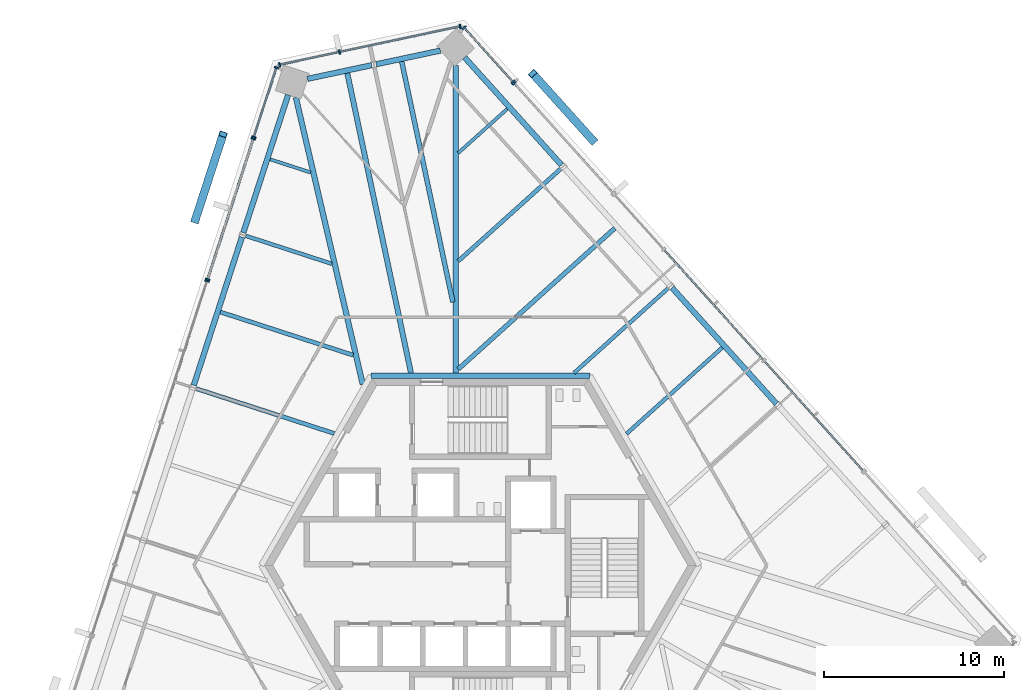
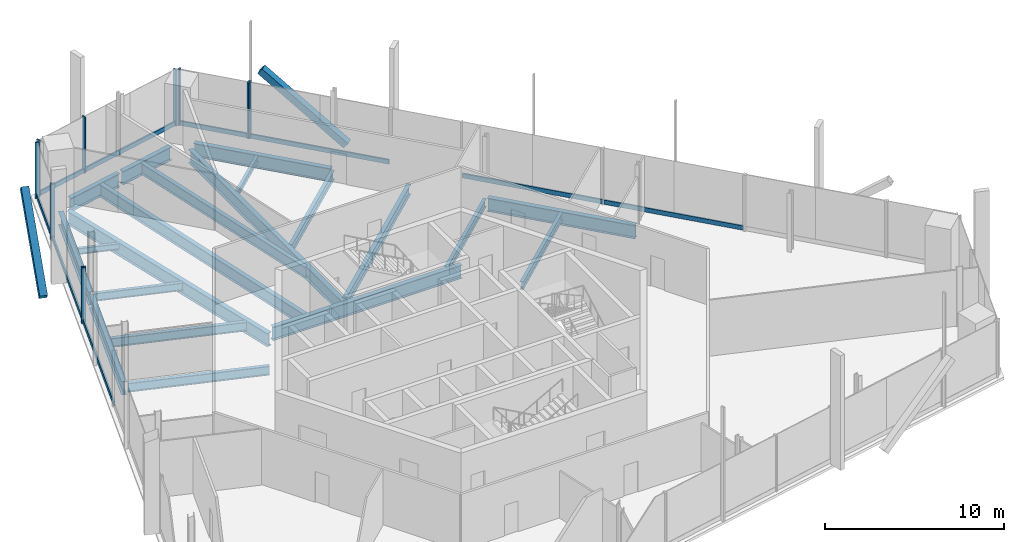
# One storey, part 7 of 17: 22 members, 20 beams, 7 elements without a shape of their own.
"""IFC4 building model written with IfcOpenShell, lengths in metres."""

from ifc_helpers import new_model, si_unit, direction, frame, origin, origin_2d, place, context, subcontext, project, spatial, rectangle, hollow_rectangle, i_section, extrude, source, transform, mapped, material, material_profile, profile_set, type_object, element, aggregate, save


model = new_model("IFC4")

# Units and contexts
model_context = context("Model", 3, precision=1e-05, world=origin(), true_north=direction((0.0, 1.0)))
body_context = subcontext(model_context, "Body", "Model", "MODEL_VIEW")
ifc_project = project(units=[si_unit("LENGTHUNIT", "METRE"), si_unit("AREAUNIT", "SQUARE_METRE"), si_unit("VOLUMEUNIT", "CUBIC_METRE"), si_unit("PLANEANGLEUNIT", "RADIAN"), si_unit("MASSUNIT", "GRAM", prefix="KILO")], contexts=[model_context])

# Site, building, storey
site_placement = place(None, origin())
site = spatial("IfcSite", under=ifc_project, at=site_placement, CompositionType="ELEMENT")
building_placement = place(site_placement, origin())
building = spatial("IfcBuilding", under=site, at=building_placement, Name="Triune Harvest Tower", CompositionType="ELEMENT")
storey_placement = place(building_placement, frame((0.0, 0.0, 288.699951171875)))
storey = spatial("IfcBuildingStorey", under=building, at=storey_placement, Name="L76", CompositionType="ELEMENT", Elevation=288.699951171875)

# Beams
ifc_material_1 = material(Name="Steel ASTM A992 Gr 50", Category="steel")
ifc_material_profile_1 = material_profile(ifc_material_1, i_section(OverallWidth=0.3046875, OverallDepth=0.914306640625, WebThickness=0.0166015625, FlangeThickness=0.02587890625, at=origin_2d()), Name="W36x160")
ifc_profile_set_1 = profile_set([ifc_material_profile_1], Name="Steel ASTM A992 Gr 50")
beam_type_1 = type_object("IfcBeamType", Name="CG-1 Core ring girder W36x160", PredefinedType="BEAM", material=ifc_profile_set_1)
shared_shape_1 = source(origin(), body_context, "Body", "SweptSolid", [
    extrude(i_section(OverallWidth=0.3046875, OverallDepth=0.914306640625, WebThickness=0.0166015625, FlangeThickness=0.02587890625, at=origin_2d()), origin(), (0.0, 0.0, 1.0), 12.17578125),
])
beam_1_placement = place(storey_placement, frame((6.087890625, 10.544677734375, -0.63720703125), z_axis=(-1.0, 0.0, 0.0), x_axis=(0.0, -1.0, 0.0)))
element("IfcBeam", 1, at=beam_1_placement, inside=storey, type_object=beam_type_1, Name="beam/L76/CG2", PredefinedType="BEAM", context=body_context, shape_type="MappedRepresentation", body=[
    mapped(shared_shape_1, transform((0.0, 0.0, 0.0), scale=1.0)),
])
ifc_material_2 = material(Name="Steel ASTM A992 Gr 50", Category="steel")
ifc_material_profile_2 = material_profile(ifc_material_2, i_section(OverallWidth=0.3046875, OverallDepth=0.914306640625, WebThickness=0.0166015625, FlangeThickness=0.02587890625, at=origin_2d()), Name="W36x160")
ifc_profile_set_2 = profile_set([ifc_material_profile_2], Name="Steel ASTM A992 Gr 50")
beam_type_2 = type_object("IfcBeamType", Name="SB-1 Spandrel beam W36x160", PredefinedType="SPANDREL", material=ifc_profile_set_2)
shared_shape_2 = source(origin(), body_context, "Body", "SweptSolid", [
    extrude(i_section(OverallWidth=0.3046875, OverallDepth=0.914306640625, WebThickness=0.0166015625, FlangeThickness=0.02587890625, at=origin_2d()), origin(), (0.0, 0.0, 1.0), 8.0498046875),
])
for number, where, z_axis, x_axis, name in (
    (2, (4.511474609375, 22.25537109375, -0.63720703125), (-0.669152382485, 0.743125217588, 0.0), (-0.743125217588, -0.669152382485, 0.0), "beam/L76/SB5"),
    (3, (-10.685791015625, 26.152099609375, -0.63720703125), (-0.30902160762, -0.951055017348, 0.0), (0.951055017348, -0.30902160762, 0.0), "beam/L76/SB8"),
):
    element("IfcBeam", number, at=place(storey_placement, frame(where, z_axis=z_axis, x_axis=x_axis)), inside=storey, type_object=beam_type_2, Name=name, PredefinedType="SPANDREL", context=body_context, shape_type="MappedRepresentation", body=[
        mapped(shared_shape_2, transform((0.0, 0.0, 0.0), scale=1.0)),
    ])
shared_shape_3 = source(origin(), body_context, "Body", "SweptSolid", [
    extrude(i_section(OverallWidth=0.3046875, OverallDepth=0.914306640625, WebThickness=0.0166015625, FlangeThickness=0.02587890625, at=origin_2d()), origin(), (0.0, 0.0, 1.0), 8.671630859375),
])
beam_2_placement = place(storey_placement, frame((16.45947265625, 8.985595703125, -0.63720703125), z_axis=(-0.669129593336, 0.743145737606, 0.0), x_axis=(-0.743145737606, -0.669129593336, 0.0)))
element("IfcBeam", 4, at=beam_2_placement, inside=storey, type_object=beam_type_2, Name="beam/L76/SB3", PredefinedType="SPANDREL", context=body_context, shape_type="MappedRepresentation", body=[
    mapped(shared_shape_3, transform((0.0, 0.0, 0.0), scale=1.0)),
])
shared_shape_4 = source(origin(), body_context, "Body", "SweptSolid", [
    extrude(i_section(OverallWidth=0.3046875, OverallDepth=0.914306640625, WebThickness=0.0166015625, FlangeThickness=0.02587890625, at=origin_2d()), origin(), (0.0, 0.0, 1.0), 8.67138671875),
])
beam_3_placement = place(storey_placement, frame((-13.252685546875, 18.25244140625, -0.63720703125), z_axis=(-0.309022409974, -0.951054756643, 0.0), x_axis=(0.951054756643, -0.309022409974, 0.0)))
element("IfcBeam", 5, at=beam_3_placement, inside=storey, type_object=beam_type_2, Name="beam/L76/SB9", PredefinedType="SPANDREL", context=body_context, shape_type="MappedRepresentation", body=[
    mapped(shared_shape_4, transform((0.0, 0.0, 0.0), scale=1.0)),
])
shared_shape_5 = source(origin(), body_context, "Body", "SweptSolid", [
    extrude(i_section(OverallWidth=0.3046875, OverallDepth=0.914306640625, WebThickness=0.0166015625, FlangeThickness=0.02587890625, at=origin_2d()), origin(), (0.0, 0.0, 1.0), 3.645751953125),
])
beam_4_placement = place(storey_placement, frame((-2.223876953125, 28.61474609375, -0.63720703125), z_axis=(-0.978145063506, -0.207923627178, 0.0), x_axis=(0.207923627178, -0.978145063506, 0.0)))
element("IfcBeam", 6, at=beam_4_placement, inside=storey, type_object=beam_type_2, Name="beam/L76/SB6", PredefinedType="SPANDREL", context=body_context, shape_type="MappedRepresentation", body=[
    mapped(shared_shape_5, transform((0.0, 0.0, 0.0), scale=1.0)),
])
shared_shape_6 = source(origin(), body_context, "Body", "SweptSolid", [
    extrude(i_section(OverallWidth=0.3046875, OverallDepth=0.914306640625, WebThickness=0.0166015625, FlangeThickness=0.02587890625, at=origin_2d()), origin(), (0.0, 0.0, 1.0), 3.6455078125),
])
beam_5_placement = place(storey_placement, frame((-6.041015625, 27.803466796875, -0.63720703125), z_axis=(-0.978142168213, -0.207937247179, 0.0), x_axis=(0.207937247179, -0.978142168213, 0.0)))
element("IfcBeam", 7, at=beam_5_placement, inside=storey, type_object=beam_type_2, Name="beam/L76/SB7", PredefinedType="SPANDREL", context=body_context, shape_type="MappedRepresentation", body=[
    mapped(shared_shape_6, transform((0.0, 0.0, 0.0), scale=1.0)),
])
ifc_material_3 = material(Name="Steel ASTM A992 Gr 50", Category="steel")
ifc_material_profile_3 = material_profile(ifc_material_3, i_section(OverallWidth=0.3046875, OverallDepth=0.914306640625, WebThickness=0.0166015625, FlangeThickness=0.02587890625, at=origin_2d()), Name="W36x160")
ifc_profile_set_3 = profile_set([ifc_material_profile_3], Name="Steel ASTM A992 Gr 50")
beam_type_3 = type_object("IfcBeamType", Name="HG-3 Hip girder W36x160", PredefinedType="BEAM", material=ifc_profile_set_3)
shared_shape_7 = source(origin(), body_context, "Body", "SweptSolid", [
    extrude(i_section(OverallWidth=0.3046875, OverallDepth=0.914306640625, WebThickness=0.0166015625, FlangeThickness=0.02587890625, at=origin_2d()), origin(), (0.0, 0.0, 1.0), 17.088623046875),
])
beam_6_placement = place(storey_placement, frame((-1.376708984375, 27.78564453125, -0.63720703125), z_axis=(0.0, -1.0, 0.0), x_axis=(1.0, 0.0, 0.0)))
element("IfcBeam", 8, at=beam_6_placement, inside=storey, type_object=beam_type_3, Name="beam/L76/HG2", PredefinedType="BEAM", context=body_context, shape_type="MappedRepresentation", body=[
    mapped(shared_shape_7, transform((0.0, 0.0, 0.0), scale=1.0)),
])
shared_shape_8 = source(origin(), body_context, "Body", "SweptSolid", [
    extrude(i_section(OverallWidth=0.3046875, OverallDepth=0.914306640625, WebThickness=0.0166015625, FlangeThickness=0.02587890625, at=origin_2d()), origin(), (0.0, 0.0, 1.0), 16.37060546875),
])
beam_7_placement = place(storey_placement, frame((-10.255126953125, 26.01220703125, -0.63720703125), z_axis=(0.227026417792, -0.973888600213, 0.0), x_axis=(0.973888600213, 0.227026417792, 0.0)))
element("IfcBeam", 9, at=beam_7_placement, inside=storey, type_object=beam_type_3, Name="beam/L76/HG3", PredefinedType="BEAM", context=body_context, shape_type="MappedRepresentation", body=[
    mapped(shared_shape_8, transform((0.0, 0.0, 0.0), scale=1.0)),
])
ifc_material_4 = material(Name="Steel ASTM A992 Gr 50", Category="steel")
ifc_material_profile_4 = material_profile(ifc_material_4, i_section(OverallWidth=0.22900390625, OverallDepth=0.612060546875, WebThickness=0.011962890625, FlangeThickness=0.01953125, at=origin_2d()), Name="W24x84")
ifc_profile_set_4 = profile_set([ifc_material_profile_4], Name="Steel ASTM A992 Gr 50")
beam_type_4 = type_object("IfcBeamType", Name="JT-3 Floor joist W24x84", PredefinedType="JOIST", material=ifc_profile_set_4)
shared_shape_9 = source(origin(), body_context, "Body", "SweptSolid", [
    extrude(i_section(OverallWidth=0.22900390625, OverallDepth=0.612060546875, WebThickness=0.011962890625, FlangeThickness=0.01953125, at=origin_2d()), origin(), (0.0, 0.0, 1.0), 7.755126953125),
])
beam_8_placement = place(storey_placement, frame((-14.447509765625, 14.081787109375, -0.486083984375), z_axis=(0.951054888115, -0.309022005354, 0.0), x_axis=(0.309022005354, 0.951054888115, 0.0)))
element("IfcBeam", 10, at=beam_8_placement, inside=storey, type_object=beam_type_4, Name="beam/L76/JT14", PredefinedType="JOIST", context=body_context, shape_type="MappedRepresentation", body=[
    mapped(shared_shape_9, transform((0.0, 0.0, 0.0), scale=1.0)),
])
ifc_material_5 = material(Name="Steel ASTM A992 Gr 50", Category="steel")
ifc_material_profile_5 = material_profile(ifc_material_5, i_section(OverallWidth=0.2099609375, OverallDepth=0.535888671875, WebThickness=0.010986328125, FlangeThickness=0.017333984375, at=origin_2d()), Name="W21x68")
ifc_profile_set_5 = profile_set([ifc_material_profile_5], Name="Steel ASTM A992 Gr 50")
beam_type_5 = type_object("IfcBeamType", Name="JT-2 Floor joist W21x68", PredefinedType="JOIST", material=ifc_profile_set_5)
shared_shape_10 = source(origin(), body_context, "Body", "SweptSolid", [
    extrude(i_section(OverallWidth=0.2099609375, OverallDepth=0.535888671875, WebThickness=0.010986328125, FlangeThickness=0.017333984375, at=origin_2d()), origin(), (0.0, 0.0, 1.0), 7.155517578125),
])
beam_9_placement = place(storey_placement, frame((13.44482421875, 12.105712890625, -0.447998046875), z_axis=(-0.743139743978, -0.669136249892, 0.0), x_axis=(0.669136249892, -0.743139743978, 0.0)))
element("IfcBeam", 11, at=beam_9_placement, inside=storey, type_object=beam_type_5, Name="beam/L76/JT5", PredefinedType="JOIST", context=body_context, shape_type="MappedRepresentation", body=[
    mapped(shared_shape_10, transform((0.0, 0.0, 0.0), scale=1.0)),
])
shared_shape_11 = source(origin(), body_context, "Body", "SweptSolid", [
    extrude(i_section(OverallWidth=0.2099609375, OverallDepth=0.535888671875, WebThickness=0.010986328125, FlangeThickness=0.017333984375, at=origin_2d()), origin(), (0.0, 0.0, 1.0), 7.035400390625),
])
beam_10_placement = place(storey_placement, frame((10.437255859375, 15.404541015625, -0.447998046875), z_axis=(-0.743147458893, -0.669127681643, 0.0), x_axis=(0.669127681643, -0.743147458893, 0.0)))
element("IfcBeam", 12, at=beam_10_placement, inside=storey, type_object=beam_type_5, Name="beam/L76/JT6", PredefinedType="JOIST", context=body_context, shape_type="MappedRepresentation", body=[
    mapped(shared_shape_11, transform((0.0, 0.0, 0.0), scale=1.0)),
])
ifc_material_6 = material(Name="Steel ASTM A992 Gr 50", Category="steel")
ifc_material_profile_6 = material_profile(ifc_material_6, i_section(OverallWidth=0.253662109375, OverallDepth=0.683349609375, WebThickness=0.012451171875, FlangeThickness=0.01904296875, at=origin_2d()), Name="W27x94")
ifc_profile_set_6 = profile_set([ifc_material_profile_6], Name="Steel ASTM A992 Gr 50")
beam_type_6 = type_object("IfcBeamType", Name="JT-4 Floor joist W27x94", PredefinedType="JOIST", material=ifc_profile_set_6)
shared_shape_12 = source(origin(), body_context, "Body", "SweptSolid", [
    extrude(i_section(OverallWidth=0.253662109375, OverallDepth=0.683349609375, WebThickness=0.012451171875, FlangeThickness=0.01904296875, at=origin_2d()), origin(), (0.0, 0.0, 1.0), 11.70068359375),
])
beam_11_placement = place(storey_placement, frame((7.470947265625, 18.740478515625, -0.521484375), z_axis=(-0.743153026809, -0.669121497745, 0.0), x_axis=(0.669121497745, -0.743153026809, 0.0)))
element("IfcBeam", 13, at=beam_11_placement, inside=storey, type_object=beam_type_6, Name="beam/L76/JT7", PredefinedType="JOIST", context=body_context, shape_type="MappedRepresentation", body=[
    mapped(shared_shape_12, transform((0.0, 0.0, 0.0), scale=1.0)),
])
shared_shape_13 = source(origin(), body_context, "Body", "SweptSolid", [
    extrude(i_section(OverallWidth=0.22900390625, OverallDepth=0.612060546875, WebThickness=0.011962890625, FlangeThickness=0.01953125, at=origin_2d()), origin(), (0.0, 0.0, 1.0), 7.6533203125),
])
beam_12_placement = place(storey_placement, frame((4.463134765625, 22.039306640625, -0.486083984375), z_axis=(-0.74314185307, -0.669133907537, 0.0), x_axis=(0.669133907537, -0.74314185307, 0.0)))
element("IfcBeam", 14, at=beam_12_placement, inside=storey, type_object=beam_type_4, Name="beam/L76/JT8", PredefinedType="JOIST", context=body_context, shape_type="MappedRepresentation", body=[
    mapped(shared_shape_13, transform((0.0, 0.0, 0.0), scale=1.0)),
])
ifc_material_7 = material(Name="Steel ASTM A992 Gr 50", Category="steel")
ifc_material_profile_7 = material_profile(ifc_material_7, i_section(OverallWidth=0.180908203125, OverallDepth=0.41650390625, WebThickness=0.010986328125, FlangeThickness=0.01806640625, at=origin_2d()), Name="W16x57")
ifc_profile_set_7 = profile_set([ifc_material_profile_7], Name="Steel ASTM A992 Gr 50")
beam_type_7 = type_object("IfcBeamType", Name="JT-1 Floor joist W16x57", PredefinedType="JOIST", material=ifc_profile_set_7)
shared_shape_14 = source(origin(), body_context, "Body", "SweptSolid", [
    extrude(i_section(OverallWidth=0.180908203125, OverallDepth=0.41650390625, WebThickness=0.010986328125, FlangeThickness=0.01806640625, at=origin_2d()), origin(), (0.0, 0.0, 1.0), 3.661865234375),
])
beam_13_placement = place(storey_placement, frame((1.496826171875, 25.37548828125, -0.38818359375), z_axis=(-0.743108471823, -0.669170978977, 0.0), x_axis=(0.669170978977, -0.743108471823, 0.0)))
element("IfcBeam", 15, at=beam_13_placement, inside=storey, type_object=beam_type_7, Name="beam/L76/JT9", PredefinedType="JOIST", context=body_context, shape_type="MappedRepresentation", body=[
    mapped(shared_shape_14, transform((0.0, 0.0, 0.0), scale=1.0)),
])
ifc_material_8 = material(Name="Steel ASTM A992 Gr 50", Category="steel")
ifc_material_profile_8 = material_profile(ifc_material_8, i_section(OverallWidth=0.2666015625, OverallDepth=0.7568359375, WebThickness=0.013916015625, FlangeThickness=0.019287109375, at=origin_2d()), Name="W30x108")
ifc_profile_set_8 = profile_set([ifc_material_profile_8], Name="Steel ASTM A992 Gr 50")
beam_type_8 = type_object("IfcBeamType", Name="JT-5 Floor joist W30x108", PredefinedType="JOIST", material=ifc_profile_set_8)
shared_shape_15 = source(origin(), body_context, "Body", "SweptSolid", [
    extrude(i_section(OverallWidth=0.2666015625, OverallDepth=0.7568359375, WebThickness=0.013916015625, FlangeThickness=0.019287109375, at=origin_2d()), origin(), (0.0, 0.0, 1.0), 13.66796875),
])
beam_14_placement = place(storey_placement, frame((-4.370849609375, 28.002685546875, -0.558349609375), z_axis=(0.207897850023, -0.978150542583, 0.0), x_axis=(0.978150542583, 0.207897850023, 0.0)))
element("IfcBeam", 16, at=beam_14_placement, inside=storey, type_object=beam_type_8, Name="beam/L76/JT10", PredefinedType="JOIST", context=body_context, shape_type="MappedRepresentation", body=[
    mapped(shared_shape_15, transform((0.0, 0.0, 0.0), scale=1.0)),
])
ifc_material_9 = material(Name="Steel ASTM A992 Gr 50", Category="steel")
ifc_material_profile_9 = material_profile(ifc_material_9, i_section(OverallWidth=0.2919921875, OverallDepth=0.8408203125, WebThickness=0.0146484375, FlangeThickness=0.021728515625, at=origin_2d()), Name="W33x130")
ifc_profile_set_9 = profile_set([ifc_material_profile_9], Name="Steel ASTM A992 Gr 50")
beam_type_9 = type_object("IfcBeamType", Name="JT-6 Floor joist W33x130", PredefinedType="JOIST", material=ifc_profile_set_9)
shared_shape_16 = source(origin(), body_context, "Body", "SweptSolid", [
    extrude(i_section(OverallWidth=0.2919921875, OverallDepth=0.8408203125, WebThickness=0.0146484375, FlangeThickness=0.021728515625, at=origin_2d()), origin(), (0.0, 0.0, 1.0), 17.034912109375),
])
beam_15_placement = place(storey_placement, frame((-7.396728515625, 27.359619140625, -0.600341796875), z_axis=(0.207911891923, -0.978147557988, 0.0), x_axis=(0.978147557988, 0.207911891923, 0.0)))
element("IfcBeam", 17, at=beam_15_placement, inside=storey, type_object=beam_type_9, Name="beam/L76/JT11", PredefinedType="JOIST", context=body_context, shape_type="MappedRepresentation", body=[
    mapped(shared_shape_16, transform((0.0, 0.0, 0.0), scale=1.0)),
])
shared_shape_17 = source(origin(), body_context, "Body", "SweptSolid", [
    extrude(i_section(OverallWidth=0.180908203125, OverallDepth=0.41650390625, WebThickness=0.010986328125, FlangeThickness=0.01806640625, at=origin_2d()), origin(), (0.0, 0.0, 1.0), 2.36474609375),
])
beam_16_placement = place(storey_placement, frame((-11.688720703125, 22.57275390625, -0.38818359375), z_axis=(0.951061378221, -0.309002030505, 0.0), x_axis=(0.309002030505, 0.951061378221, 0.0)))
element("IfcBeam", 18, at=beam_16_placement, inside=storey, type_object=beam_type_7, Name="beam/L76/JT12", PredefinedType="JOIST", context=body_context, shape_type="MappedRepresentation", body=[
    mapped(shared_shape_17, transform((0.0, 0.0, 0.0), scale=1.0)),
])
shared_shape_18 = source(origin(), body_context, "Body", "SweptSolid", [
    extrude(i_section(OverallWidth=0.2099609375, OverallDepth=0.535888671875, WebThickness=0.010986328125, FlangeThickness=0.017333984375, at=origin_2d()), origin(), (0.0, 0.0, 1.0), 5.0322265625),
])
beam_17_placement = place(storey_placement, frame((-13.04150390625, 18.318603515625, -0.447998046875), z_axis=(0.951062231031, -0.308999405674, 0.0), x_axis=(0.308999405674, 0.951062231031, 0.0)))
element("IfcBeam", 19, at=beam_17_placement, inside=storey, type_object=beam_type_5, Name="beam/L76/JT13", PredefinedType="JOIST", context=body_context, shape_type="MappedRepresentation", body=[
    mapped(shared_shape_18, transform((0.0, 0.0, 0.0), scale=1.0)),
])
shared_shape_19 = source(origin(), body_context, "Body", "SweptSolid", [
    extrude(i_section(OverallWidth=0.22900390625, OverallDepth=0.612060546875, WebThickness=0.011962890625, FlangeThickness=0.01953125, at=origin_2d()), origin(), (0.0, 0.0, 1.0), 8.07666015625),
])
beam_18_placement = place(storey_placement, frame((-15.80029296875, 9.82763671875, -0.486083984375), z_axis=(0.951056057917, -0.309018405114, 0.0), x_axis=(0.309018405114, 0.951056057917, 0.0)))
element("IfcBeam", 20, at=beam_18_placement, inside=storey, type_object=beam_type_4, Name="beam/L76/JT15", PredefinedType="JOIST", context=body_context, shape_type="MappedRepresentation", body=[
    mapped(shared_shape_19, transform((0.0, 0.0, 0.0), scale=1.0)),
])

# Members
ifc_material_10 = material(Name="Steel ASTM A572 Gr 50", Category="steel")
ifc_material_profile_10 = material_profile(ifc_material_10, hollow_rectangle(XDim=0.449951171875, YDim=0.449951171875, WallThickness=0.02490234375, at=origin_2d()), Name="Box 450x450x25")
ifc_profile_set_10 = profile_set([ifc_material_profile_10], Name="Steel ASTM A572 Gr 50")
member_type_1 = type_object("IfcMemberType", Name="BR-4 Brace Box 450x450x25", PredefinedType="BRACE", material=ifc_profile_set_10)
shared_shape_20 = source(origin(), body_context, "Body", "SweptSolid", [
    extrude(hollow_rectangle(XDim=0.449951171875, YDim=0.449951171875, WallThickness=0.02490234375, at=origin_2d()), origin(), (0.0, 0.0, 1.0), 6.432373046875),
])
for number, where, z_axis, x_axis, name in (
    (21, (6.279541015625, 23.59521484375, 0.0), (-0.524014993617, 0.581973192607, 0.621864526686), (-0.743142299992, -0.669133411184, 0.0), "brace/B7-F1/d1/9"),
    (22, (-15.856689453125, 19.171142578125, 0.0), (0.242003330998, 0.74479789275, 0.621860504246), (-0.951055080488, 0.3090214133, 0.0), "brace/B7-F3/d2/9"),
):
    element("IfcMember", number, at=place(storey_placement, frame(where, z_axis=z_axis, x_axis=x_axis)), inside=storey, type_object=member_type_1, Name=name, PredefinedType="BRACE", context=body_context, shape_type="MappedRepresentation", body=[
        mapped(shared_shape_20, transform((0.0, 0.0, 0.0), scale=1.0)),
    ])

# Curtain wall, member
ifc_material_11 = material(Name="Aluminium bronze anodised", Category="aluminium")
curtain_wall_type_1 = type_object("IfcCurtainWallType", Name="CW-9 Sky lobby tall glazing wall with insulated spandrel infill", PredefinedType="NOTDEFINED", material=ifc_material_11)
curtain_wall_1_placement = place(storey_placement, origin())
curtain_wall_1 = element("IfcCurtainWall", 23, at=curtain_wall_1_placement, inside=storey, type_object=curtain_wall_type_1, Name="CW-9 B7-F1 L76 run 3001")
ifc_material_12 = material(Name="Aluminium bronze anodised", Category="aluminium")
ifc_material_profile_11 = material_profile(ifc_material_12, rectangle(XDim=0.25, YDim=0.090087890625, at=origin_2d()), Name="MU-4 mullion 90 x 250")
ifc_profile_set_11 = profile_set([ifc_material_profile_11], Name="Aluminium bronze anodised")
member_type_2 = type_object("IfcMemberType", Name="MU-4 mullion 90 x 250", PredefinedType="MULLION", material=ifc_profile_set_11)
shared_shape_21 = source(origin(), body_context, "Body", "SweptSolid", [
    extrude(rectangle(XDim=0.25, YDim=0.090087890625, at=origin_2d()), origin(), (0.0, 0.0, 1.0), 3.820068359375),
])
member_1_placement = place(storey_placement, frame((1.881591796875, 26.79833984375, 0.0), z_axis=(0.0, 0.0, 1.0), x_axis=(-0.743146360677, -0.669128901343, 0.0)))
member_1 = element("IfcMember", 24, at=member_1_placement, type_object=member_type_2, Name="CW-9 mullion B7-F1 3001.3", PredefinedType="MULLION", context=body_context, shape_type="MappedRepresentation", body=[
    mapped(shared_shape_21, transform((0.0, 0.0, 0.0), scale=1.0)),
])

# Curtain wall, members
ifc_material_13 = material(Name="Aluminium bronze anodised", Category="aluminium")
curtain_wall_type_2 = type_object("IfcCurtainWallType", Name="CW-4 Sky lobby tall glazing wall", PredefinedType="NOTDEFINED", material=ifc_material_13)
curtain_wall_2_placement = place(storey_placement, origin())
curtain_wall_2 = element("IfcCurtainWall", 25, at=curtain_wall_2_placement, inside=storey, type_object=curtain_wall_type_2, Name="CW-4 B7-F1 L76 run 4001")
member_2_placement = place(storey_placement, frame((1.821533203125, 26.865234375, 0.0), z_axis=(0.0, 0.0, 1.0), x_axis=(-0.743139438275, -0.669136589405, 0.0)))
member_2 = element("IfcMember", 26, at=member_2_placement, type_object=member_type_2, Name="CW-4 mullion B7-F1 4001.1", PredefinedType="MULLION", context=body_context, shape_type="MappedRepresentation", body=[
    mapped(shared_shape_21, transform((0.0, 0.0, 0.0), scale=1.0)),
])
member_3_placement = place(storey_placement, frame((-0.899169921875, 29.88671875, 0.0), z_axis=(0.0, 0.0, 1.0), x_axis=(-0.743139438275, -0.669136589405, 0.0)))
member_3 = element("IfcMember", 27, at=member_3_placement, type_object=member_type_2, Name="CW-4 mullion B7-F1 4001.2", PredefinedType="MULLION", context=body_context, shape_type="MappedRepresentation", body=[
    mapped(shared_shape_21, transform((0.0, 0.0, 0.0), scale=1.0)),
])

curtain_wall_3_placement = place(storey_placement, origin())
curtain_wall_3 = element("IfcCurtainWall", 28, at=curtain_wall_3_placement, inside=storey, type_object=curtain_wall_type_2, Name="CW-4 B7-F2 L76 run 1")
member_4_placement = place(storey_placement, frame((-1.121337890625, 29.958984375, 0.0), z_axis=(0.0, 0.0, 1.0), x_axis=(0.207904739307, -0.978149078297, 0.0)))
member_4 = element("IfcMember", 29, at=member_4_placement, type_object=member_type_2, Name="CW-4 mullion B7-F2 1.1", PredefinedType="MULLION", context=body_context, shape_type="MappedRepresentation", body=[
    mapped(shared_shape_21, transform((0.0, 0.0, 0.0), scale=1.0)),
])
member_5_placement = place(storey_placement, frame((-7.8291015625, 28.533203125, 0.0), z_axis=(0.0, 0.0, 1.0), x_axis=(0.207904739307, -0.978149078297, 0.0)))
member_5 = element("IfcMember", 30, at=member_5_placement, type_object=member_type_2, Name="CW-4 mullion B7-F2 1.3", PredefinedType="MULLION", context=body_context, shape_type="MappedRepresentation", body=[
    mapped(shared_shape_21, transform((0.0, 0.0, 0.0), scale=1.0)),
])
member_6_placement = place(storey_placement, frame((-11.160888671875, 27.824951171875, 0.0), z_axis=(0.0, 0.0, 1.0), x_axis=(0.207904739307, -0.978149078297, 0.0)))
member_6 = element("IfcMember", 31, at=member_6_placement, type_object=member_type_2, Name="CW-4 mullion B7-F2 1.4", PredefinedType="MULLION", context=body_context, shape_type="MappedRepresentation", body=[
    mapped(shared_shape_21, transform((0.0, 0.0, 0.0), scale=1.0)),
])

curtain_wall_4_placement = place(storey_placement, origin())
curtain_wall_4 = element("IfcCurtainWall", 32, at=curtain_wall_4_placement, inside=storey, type_object=curtain_wall_type_2, Name="CW-4 B7-F3 L76 run 1")
member_7_placement = place(storey_placement, frame((-11.334716796875, 27.668701171875, 0.0), z_axis=(0.0, 0.0, 1.0), x_axis=(0.95105833161, -0.309011407356, 0.0)))
member_7 = element("IfcMember", 33, at=member_7_placement, type_object=member_type_2, Name="CW-4 mullion B7-F3 1.1", PredefinedType="MULLION", context=body_context, shape_type="MappedRepresentation", body=[
    mapped(shared_shape_21, transform((0.0, 0.0, 0.0), scale=1.0)),
])
member_8_placement = place(storey_placement, frame((-12.591064453125, 23.8017578125, 0.0), z_axis=(0.0, 0.0, 1.0), x_axis=(0.95105833161, -0.309011407356, 0.0)))
member_8 = element("IfcMember", 34, at=member_8_placement, type_object=member_type_2, Name="CW-4 mullion B7-F3 1.2", PredefinedType="MULLION", context=body_context, shape_type="MappedRepresentation", body=[
    mapped(shared_shape_21, transform((0.0, 0.0, 0.0), scale=1.0)),
])

curtain_wall_5_placement = place(storey_placement, origin())
curtain_wall_5 = element("IfcCurtainWall", 35, at=curtain_wall_5_placement, inside=storey, type_object=curtain_wall_type_1, Name="CW-9 B7-F3 L76 run 1001")
member_9_placement = place(storey_placement, frame((-12.618896484375, 23.71630859375, 0.0), z_axis=(0.0, 0.0, 1.0), x_axis=(0.951057407868, -0.309014250382, 0.0)))
member_9 = element("IfcMember", 36, at=member_9_placement, type_object=member_type_2, Name="CW-9 mullion B7-F3 1001.1", PredefinedType="MULLION", context=body_context, shape_type="MappedRepresentation", body=[
    mapped(shared_shape_21, transform((0.0, 0.0, 0.0), scale=1.0)),
])
member_10_placement = place(storey_placement, frame((-15.159423828125, 15.89697265625, 0.0), z_axis=(0.0, 0.0, 1.0), x_axis=(0.951057407868, -0.309014250382, 0.0)))
member_10 = element("IfcMember", 37, at=member_10_placement, type_object=member_type_2, Name="CW-9 mullion B7-F3 1001.3", PredefinedType="MULLION", context=body_context, shape_type="MappedRepresentation", body=[
    mapped(shared_shape_21, transform((0.0, 0.0, 0.0), scale=1.0)),
])

# Curtain wall, member
curtain_wall_6_placement = place(storey_placement, origin())
curtain_wall_6 = element("IfcCurtainWall", 38, at=curtain_wall_6_placement, inside=storey, type_object=curtain_wall_type_2, Name="CW-4 B7-F3 L76 run 2001")
member_11_placement = place(storey_placement, frame((-15.187255859375, 15.8115234375, 0.0), z_axis=(0.0, 0.0, 1.0), x_axis=(0.951055533932, -0.309020017761, 0.0)))
member_11 = element("IfcMember", 39, at=member_11_placement, type_object=member_type_2, Name="CW-4 mullion B7-F3 2001.1", PredefinedType="MULLION", context=body_context, shape_type="MappedRepresentation", body=[
    mapped(shared_shape_21, transform((0.0, 0.0, 0.0), scale=1.0)),
])

# Member
ifc_material_14 = material(Name="Aluminium bronze anodised", Category="aluminium")
ifc_material_profile_12 = material_profile(ifc_material_14, rectangle(XDim=0.10009765625, YDim=0.300048828125, at=origin_2d()), Name="TR-4 transom 100 x 300")
ifc_profile_set_12 = profile_set([ifc_material_profile_12], Name="Aluminium bronze anodised")
member_type_3 = type_object("IfcMemberType", Name="TR-4 transom 100 x 300", PredefinedType="USERDEFINED", material=ifc_profile_set_12)
shared_shape_22 = source(origin(), body_context, "Body", "SweptSolid", [
    extrude(rectangle(XDim=0.10009765625, YDim=0.300048828125, at=origin_2d()), origin(), (0.0, 0.0, 1.0), 8.131591796875),
])
member_12_placement = place(storey_placement, frame((7.352783203125, 20.721923828125, 0.150146484375), z_axis=(-0.669117326261, 0.743156782716, 0.0), x_axis=(-0.743156782716, -0.669117326261, 0.0)))
member_12 = element("IfcMember", 40, at=member_12_placement, type_object=member_type_3, Name="CW-9 transom B7-F1 3001.1", ObjectType="TRANSOM", PredefinedType="USERDEFINED", context=body_context, shape_type="MappedRepresentation", body=[
    mapped(shared_shape_22, transform((0.0, 0.0, 0.0), scale=1.0)),
])

aggregate(curtain_wall_1, [member_1, member_12])

member_13_placement = place(storey_placement, frame((-12.6328125, 23.67333984375, 0.150146484375), z_axis=(-0.309003926068, -0.951060762346, 0.0), x_axis=(0.951060762346, -0.309003926068, 0.0)))
member_13 = element("IfcMember", 41, at=member_13_placement, type_object=member_type_3, Name="CW-9 transom B7-F3 1001.1", ObjectType="TRANSOM", PredefinedType="USERDEFINED", context=body_context, shape_type="MappedRepresentation", body=[
    mapped(shared_shape_22, transform((0.0, 0.0, 0.0), scale=1.0)),
])

aggregate(curtain_wall_5, [member_9, member_10, member_13])

# Curtain wall, member
curtain_wall_7_placement = place(storey_placement, origin())
curtain_wall_7 = element("IfcCurtainWall", 42, at=curtain_wall_7_placement, inside=storey, type_object=curtain_wall_type_2, Name="CW-4 B7-F1 L76 run 2001")
shared_shape_23 = source(origin(), body_context, "Body", "SweptSolid", [
    extrude(rectangle(XDim=0.10009765625, YDim=0.300048828125, at=origin_2d()), origin(), (0.0, 0.0, 1.0), 8.176513671875),
])
member_14_placement = place(storey_placement, frame((21.256591796875, 5.2802734375, 0.150146484375), z_axis=(-0.66912802969, 0.743147145513, 0.0), x_axis=(-0.743147145513, -0.66912802969, 0.0)))
member_14 = element("IfcMember", 43, at=member_14_placement, type_object=member_type_3, Name="CW-4 transom B7-F1 2001.1", ObjectType="TRANSOM", PredefinedType="USERDEFINED", context=body_context, shape_type="MappedRepresentation", body=[
    mapped(shared_shape_23, transform((0.0, 0.0, 0.0), scale=1.0)),
])

# Member
member_15_placement = place(storey_placement, frame((-15.201171875, 15.7685546875, 0.150146484375), z_axis=(-0.309007753371, -0.95105951883, 0.0), x_axis=(0.95105951883, -0.309007753371, 0.0)))
member_15 = element("IfcMember", 44, at=member_15_placement, type_object=member_type_3, Name="CW-4 transom B7-F3 2001.1", ObjectType="TRANSOM", PredefinedType="USERDEFINED", context=body_context, shape_type="MappedRepresentation", body=[
    mapped(shared_shape_23, transform((0.0, 0.0, 0.0), scale=1.0)),
])

aggregate(curtain_wall_6, [member_11, member_15])

shared_shape_24 = source(origin(), body_context, "Body", "SweptSolid", [
    extrude(rectangle(XDim=0.10009765625, YDim=0.300048828125, at=origin_2d()), origin(), (0.0, 0.0, 1.0), 6.767578125),
])
member_16_placement = place(storey_placement, frame((-1.16552734375, 29.949462890625, 0.150146484375), z_axis=(-0.978149498035, -0.207902764519, 0.0), x_axis=(0.207902764519, -0.978149498035, 0.0)))
member_16 = element("IfcMember", 45, at=member_16_placement, type_object=member_type_3, Name="CW-4 transom B7-F2 1.1", ObjectType="TRANSOM", PredefinedType="USERDEFINED", context=body_context, shape_type="MappedRepresentation", body=[
    mapped(shared_shape_24, transform((0.0, 0.0, 0.0), scale=1.0)),
])

shared_shape_25 = source(origin(), body_context, "Body", "SweptSolid", [
    extrude(rectangle(XDim=0.10009765625, YDim=0.300048828125, at=origin_2d()), origin(), (0.0, 0.0, 1.0), 3.31640625),
])
member_17_placement = place(storey_placement, frame((-7.873046875, 28.52392578125, 0.150146484375), z_axis=(-0.978151179276, -0.20789485439, 0.0), x_axis=(0.20789485439, -0.978151179276, 0.0)))
member_17 = element("IfcMember", 46, at=member_17_placement, type_object=member_type_3, Name="CW-4 transom B7-F2 1.2", ObjectType="TRANSOM", PredefinedType="USERDEFINED", context=body_context, shape_type="MappedRepresentation", body=[
    mapped(shared_shape_25, transform((0.0, 0.0, 0.0), scale=1.0)),
])

aggregate(curtain_wall_3, [member_4, member_5, member_6, member_16, member_17])

shared_shape_26 = source(origin(), body_context, "Body", "SweptSolid", [
    extrude(rectangle(XDim=0.10009765625, YDim=0.300048828125, at=origin_2d()), origin(), (0.0, 0.0, 1.0), 3.9755859375),
])
member_18_placement = place(storey_placement, frame((1.791259765625, 26.898681640625, 0.150146484375), z_axis=(-0.669107214234, 0.743165887175, 0.0), x_axis=(-0.743165887175, -0.669107214234, 0.0)))
member_18 = element("IfcMember", 47, at=member_18_placement, type_object=member_type_3, Name="CW-4 transom B7-F1 4001.1", ObjectType="TRANSOM", PredefinedType="USERDEFINED", context=body_context, shape_type="MappedRepresentation", body=[
    mapped(shared_shape_26, transform((0.0, 0.0, 0.0), scale=1.0)),
])

aggregate(curtain_wall_2, [member_2, member_3, member_18])

shared_shape_27 = source(origin(), body_context, "Body", "SweptSolid", [
    extrude(rectangle(XDim=0.10009765625, YDim=0.300048828125, at=origin_2d()), origin(), (0.0, 0.0, 1.0), 8.221435546875),
])
member_19_placement = place(storey_placement, frame((15.725341796875, 11.423583984375, 0.150146484375), z_axis=(-0.669153381724, 0.743124317815, 0.0), x_axis=(-0.743124317815, -0.669153381724, 0.0)))
member_19 = element("IfcMember", 48, at=member_19_placement, type_object=member_type_3, Name="CW-4 transom B7-F1 2001.2", ObjectType="TRANSOM", PredefinedType="USERDEFINED", context=body_context, shape_type="MappedRepresentation", body=[
    mapped(shared_shape_27, transform((0.0, 0.0, 0.0), scale=1.0)),
])

aggregate(curtain_wall_7, [member_14, member_19])

shared_shape_28 = source(origin(), body_context, "Body", "SweptSolid", [
    extrude(rectangle(XDim=0.10009765625, YDim=0.300048828125, at=origin_2d()), origin(), (0.0, 0.0, 1.0), 3.975830078125),
])
member_20_placement = place(storey_placement, frame((-11.3486328125, 27.625732421875, 0.150146484375), z_axis=(-0.308997206948, -0.951062945392, 0.0), x_axis=(0.951062945392, -0.308997206948, 0.0)))
member_20 = element("IfcMember", 49, at=member_20_placement, type_object=member_type_3, Name="CW-4 transom B7-F3 1.1", ObjectType="TRANSOM", PredefinedType="USERDEFINED", context=body_context, shape_type="MappedRepresentation", body=[
    mapped(shared_shape_28, transform((0.0, 0.0, 0.0), scale=1.0)),
])

aggregate(curtain_wall_4, [member_7, member_8, member_20])

save(model, "model.ifc")
